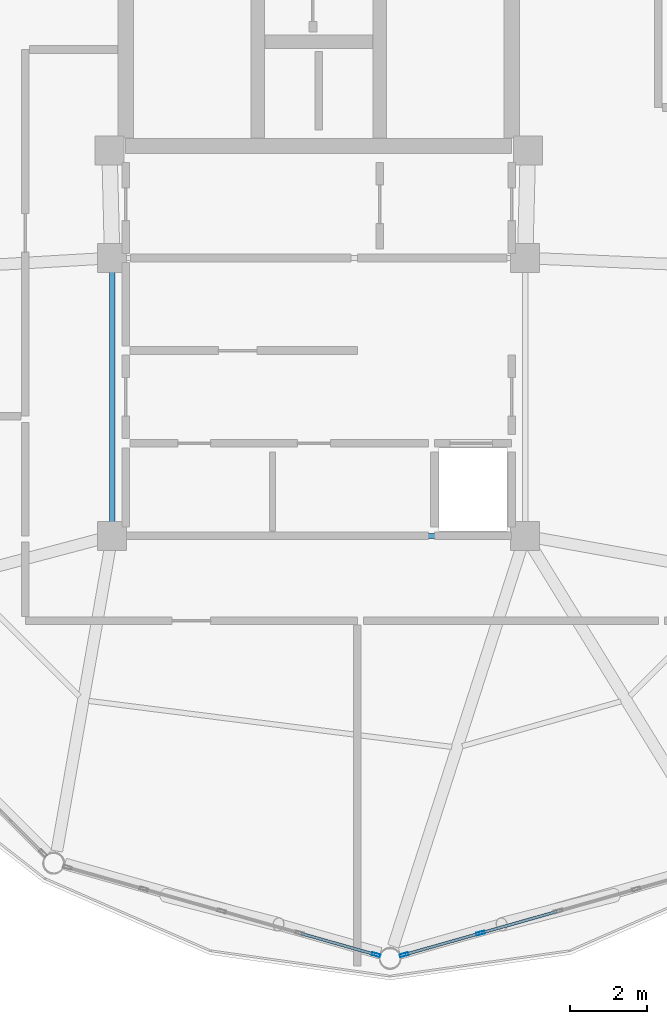
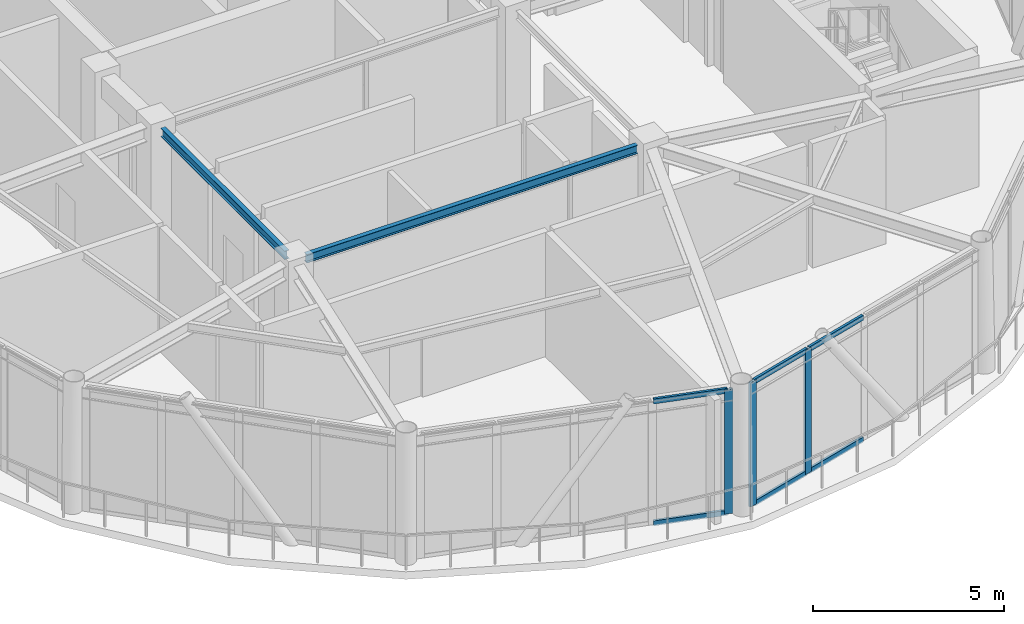
# One storey, part 5 of 21: 9 members, 2 beams, 2 elements without a shape of their own.
"""IFC4 building model written with IfcOpenShell, lengths in metres."""

import ifcopenshell
import ifcopenshell.guid

model = None  # the IFC model being written
_history = None  # IfcOwnerHistory: only IFC2X3 demands one
_inside = {}  # id of a spatial element -> (the spatial element, [elements in it])
_under = {}  # id of a project, library or spatial element -> (it, [spatial elements below it])
_declared = {}  # id of a project -> (the project, [libraries it declares])
_typed = {}  # id of a type object -> (the type object, [elements of that type])
_made_of = {}  # id of a material, layer set ... -> (it, [elements and type objects made of it])


def new_model(schema):
    """Start an empty IFC model of exactly this schema.

    Asked for "IFC4X3", IfcOpenShell would pick the latest addendum, in which some entities
    have other attributes; the version numbers below select the first issue.
    IFC2X3 requires an IfcOwnerHistory on every rooted entity: one is made here for all.
    """
    global model, _history
    if schema == "IFC4X3":
        model = ifcopenshell.file(schema_version=(4, 3, 0, 0))
    else:
        model = ifcopenshell.file(schema=schema)
    _inside.clear()
    _under.clear()
    _declared.clear()
    _typed.clear()
    _made_of.clear()
    _history = None
    if model.schema == "IFC2X3":
        org = make("IfcOrganization", Name="unknown")
        user = make(
            "IfcPersonAndOrganization",
            ThePerson=make("IfcPerson", FamilyName="unknown"),
            TheOrganization=org,
        )
        app = make(
            "IfcApplication",
            ApplicationDeveloper=org,
            Version="unknown",
            ApplicationFullName="unknown",
            ApplicationIdentifier="unknown",
        )
        _history = make(
            "IfcOwnerHistory",
            OwningUser=user,
            OwningApplication=app,
            ChangeAction="ADDED",
            CreationDate=0,
        )
    return model


def make(cls, **values):
    """One entity of the class cls with the attributes given. An attribute that is None is left unset."""
    return model.create_entity(
        cls, **{name: value for name, value in values.items() if value is not None}
    )


def rooted(cls, **values):
    """An entity with a GlobalId (a new one), such as an element, a storey or a relation."""
    return make(cls, GlobalId=ifcopenshell.guid.new(), OwnerHistory=_history, **values)


def si_unit(unit_type, name, prefix=None):
    """IfcSIUnit, for example si_unit("LENGTHUNIT", "METRE", prefix="MILLI")."""
    return make("IfcSIUnit", UnitType=unit_type, Prefix=prefix, Name=name)


def assignment(units):
    """IfcUnitAssignment: the units of a project."""
    return None if units is None else make("IfcUnitAssignment", Units=units)


def point(xyz):
    """IfcCartesianPoint."""
    return None if xyz is None else make("IfcCartesianPoint", Coordinates=xyz)


def direction(xyz):
    """IfcDirection."""
    return None if xyz is None else make("IfcDirection", DirectionRatios=xyz)


def frame(location, z_axis=None, x_axis=None):
    """IfcAxis2Placement3D, a coordinate frame: its origin and axes. An axis left out is left unset."""
    return make(
        "IfcAxis2Placement3D",
        Location=point(location),
        Axis=direction(z_axis),
        RefDirection=direction(x_axis),
    )


def frame_2d(location, x_axis=None):
    """IfcAxis2Placement2D, a coordinate frame in the plane: its origin and x axis."""
    return make(
        "IfcAxis2Placement2D", Location=point(location), RefDirection=direction(x_axis)
    )


def origin():
    """The frame at (0, 0, 0) with its axes left unset."""
    return frame((0.0, 0.0, 0.0))


def origin_2d():
    """The frame at (0, 0) in the plane with its x axis left unset."""
    return frame_2d((0.0, 0.0))


def place(relative_to, where):
    """IfcLocalPlacement: puts the frame where relative to a parent placement (None: the world)."""
    return make(
        "IfcLocalPlacement", PlacementRelTo=relative_to, RelativePlacement=where
    )


def context(
    kind, dimensions, precision=None, world=None, true_north=None, identifier=None
):
    """IfcGeometricRepresentationContext, for example the 3D "Model" context."""
    return make(
        "IfcGeometricRepresentationContext",
        ContextIdentifier=identifier,
        ContextType=kind,
        CoordinateSpaceDimension=dimensions,
        Precision=precision,
        WorldCoordinateSystem=world,
        TrueNorth=true_north,
    )


def subcontext(parent, identifier, kind, view, scale=None):
    """IfcGeometricRepresentationSubContext, for example "Body" below "Model"."""
    return make(
        "IfcGeometricRepresentationSubContext",
        ContextIdentifier=identifier,
        ContextType=kind,
        ParentContext=parent,
        TargetScale=scale,
        TargetView=view,
    )


def project(units=None, contexts=None):
    """IfcProject with its units and contexts."""
    return rooted(
        "IfcProject",
        Name="project",
        RepresentationContexts=contexts,
        UnitsInContext=assignment(units),
    )


def spatial(cls, under=None, at=None, **own):
    """A site, building, storey or space (cls), placed at a placement, below another one or the project."""
    s = rooted(cls, ObjectPlacement=at, **own)
    if under is not None:
        _under.setdefault(under.id(), (under, []))[1].append(s)
    return s


def profile(cls, at=None, kind="AREA", **sizes):
    """A parametric profile (cls). Its sizes go by their IFC names, for example OverallWidth=200.0."""
    return make(cls, ProfileType=kind, Position=at, **sizes)


def hollow_rectangle(**sizes):
    """IfcRectangleHollowProfileDef."""
    return profile("IfcRectangleHollowProfileDef", **sizes)


def i_section(**sizes):
    """IfcIShapeProfileDef."""
    return profile("IfcIShapeProfileDef", **sizes)


def extrude(swept, where, along, depth):
    """IfcExtrudedAreaSolid: the profile swept, set in the frame where, extruded along a direction by depth."""
    return make(
        "IfcExtrudedAreaSolid",
        SweptArea=swept,
        Position=where,
        ExtrudedDirection=direction(along),
        Depth=depth,
    )


def shape(context_of_items, identifier, shape_type, items):
    """IfcShapeRepresentation: the items that make up one representation, for example the "Body"."""
    return make(
        "IfcShapeRepresentation",
        ContextOfItems=context_of_items,
        RepresentationIdentifier=identifier,
        RepresentationType=shape_type,
        Items=items,
    )


def material(Name=None, Category=None):
    """IfcMaterial."""
    return make("IfcMaterial", Name=Name, Category=Category)


def layer(
    of_material, thickness, ventilated=None, Name=None, Category=None, Priority=None
):
    """IfcMaterialLayer: one layer of a wall or slab, of a material (None: an air gap)."""
    return make(
        "IfcMaterialLayer",
        Material=of_material,
        LayerThickness=thickness,
        IsVentilated=ventilated,
        Name=Name,
        Category=Category,
        Priority=Priority,
    )


def layer_set(layers, Name=None):
    """IfcMaterialLayerSet."""
    return make("IfcMaterialLayerSet", MaterialLayers=layers, LayerSetName=Name)


def material_profile(
    of_material, cross_section, Name=None, Category=None, Priority=None
):
    """IfcMaterialProfile: a cross section and its material."""
    return make(
        "IfcMaterialProfile",
        Name=Name,
        Material=of_material,
        Profile=cross_section,
        Priority=Priority,
        Category=Category,
    )


def profile_set(profiles, Name=None, composite=None):
    """IfcMaterialProfileSet."""
    return make(
        "IfcMaterialProfileSet",
        Name=Name,
        MaterialProfiles=profiles,
        CompositeProfile=composite,
    )


def made_of(thing, what):
    """Note that an element or type object is made of a material, layer set ...; save() writes the relation."""
    if what is not None:
        _made_of.setdefault(what.id(), (what, []))[1].append(thing)
    return thing


def type_object(cls, material=None, **own):
    """A type object (cls), such as IfcWallType, which elements share."""
    return made_of(rooted(cls, **own), material)


def element(
    cls,
    number,
    at=None,
    inside=None,
    cuts=None,
    type_object=None,
    material=None,
    context=None,
    identifier="Body",
    shape_type=None,
    held_by="IfcProductDefinitionShape",
    body=None,
    shapes=None,
    **own,
):
    """One element of the class cls, such as IfcWall. Its Tag is "e" and its number.

    at: its placement. inside: the storey or other place that contains it. cuts: it is an
    opening in that element (IfcRelVoidsElement). A single representation is given by context,
    identifier, shape_type and body (its items); several are given by shapes. held_by: the class
    of the entity that holds the representations. save() writes the other relations.
    """
    e = rooted(cls, Tag="e%d" % number, ObjectPlacement=at, **own)
    if body is not None:
        shapes = [shape(context, identifier, shape_type, body)]
    if shapes is not None:
        e.Representation = make(held_by, Representations=shapes)
    if inside is not None:
        _inside.setdefault(inside.id(), (inside, []))[1].append(e)
    if cuts is not None:
        rooted(
            "IfcRelVoidsElement", RelatingBuildingElement=cuts, RelatedOpeningElement=e
        )
    if type_object is not None:
        _typed.setdefault(type_object.id(), (type_object, []))[1].append(e)
    return made_of(e, material)


def aggregate(whole, parts):
    """IfcRelAggregates: a whole, such as a stair, and the parts it consists of."""
    return rooted("IfcRelAggregates", RelatingObject=whole, RelatedObjects=parts)


def save(model, path):
    """Write the relations noted so far, then the file.

    IfcRelAggregates (storeys below a building ...), IfcRelContainedInSpatialStructure (elements
    in a storey), IfcRelDefinesByType, IfcRelAssociatesMaterial and IfcRelDeclares: one each for
    every whole, place, type object, material and project.
    """
    for whole, parts in _under.values():
        aggregate(whole, parts)
    for where, things in _inside.values():
        rooted(
            "IfcRelContainedInSpatialStructure",
            RelatedElements=things,
            RelatingStructure=where,
        )
    for kind, things in _typed.values():
        rooted("IfcRelDefinesByType", RelatedObjects=things, RelatingType=kind)
    for what, things in _made_of.values():
        rooted("IfcRelAssociatesMaterial", RelatedObjects=things, RelatingMaterial=what)
    for by, libraries in _declared.values():
        rooted("IfcRelDeclares", RelatingContext=by, RelatedDefinitions=libraries)
    model.write(path)


model = new_model("IFC4")

# Units and contexts
model_context = context("Model", 3, precision=1e-05, world=origin(), true_north=direction((0.0, 1.0)))
body_context = subcontext(model_context, "Body", "Model", "MODEL_VIEW")
ifc_project = project(units=[si_unit("LENGTHUNIT", "METRE"), si_unit("AREAUNIT", "SQUARE_METRE"), si_unit("VOLUMEUNIT", "CUBIC_METRE"), si_unit("PLANEANGLEUNIT", "RADIAN"), si_unit("MASSUNIT", "GRAM", prefix="KILO")], contexts=[model_context])

# Site, building, storey
site_placement = place(None, origin())
site = spatial("IfcSite", under=ifc_project, at=site_placement, CompositionType="ELEMENT")
building_placement = place(site_placement, origin())
building = spatial("IfcBuilding", under=site, at=building_placement, Name="Varnakorn Sky Granary", CompositionType="ELEMENT")
storey_placement = place(building_placement, frame((0.0, 0.0, 298.199951171875)))
storey = spatial("IfcBuildingStorey", under=building, at=storey_placement, Name="L76", CompositionType="ELEMENT", Elevation=298.199951171875)

# Beams
ifc_material_1 = material(Name="Steel S355JR", Category="steel")
ifc_material_profile_1 = material_profile(ifc_material_1, i_section(OverallWidth=0.135009765625, OverallDepth=0.27001953125, WebThickness=0.006591796875, FlangeThickness=0.01025390625, at=origin_2d()), Name="IPE 270")
ifc_profile_set_1 = profile_set([ifc_material_profile_1], Name="Steel S355JR")
beam_type = type_object("IfcBeamType", Name="BM-SEC-Z5", PredefinedType="BEAM", material=ifc_profile_set_1)
beam_1_placement = place(storey_placement, frame((-2.35009765625, 0.2451171875, 3.824951171875), z_axis=(0.0, -1.0, 0.0), x_axis=(1.0, 0.0, 0.0)))
element("IfcBeam", 1, at=beam_1_placement, inside=storey, type_object=beam_type, Name="Core Spine Framing Beam 3 L76", PredefinedType="BEAM", context=body_context, shape_type="SweptSolid", body=[
    extrude(i_section(OverallWidth=0.135009765625, OverallDepth=0.27001953125, WebThickness=0.006591796875, FlangeThickness=0.01025390625, at=origin_2d()), origin(), (0.0, 0.0, 1.0), 6.490234375),
])
beam_2_placement = place(storey_placement, frame((-1.9951171875, -6.60009765625, 3.824951171875), z_axis=(1.0, 0.0, 0.0), x_axis=(0.0, 1.0, 0.0)))
element("IfcBeam", 2, at=beam_2_placement, inside=storey, type_object=beam_type, Name="Core Spine Framing Beam 6 L76", PredefinedType="BEAM", context=body_context, shape_type="SweptSolid", body=[
    extrude(i_section(OverallWidth=0.135009765625, OverallDepth=0.27001953125, WebThickness=0.006591796875, FlangeThickness=0.01025390625, at=origin_2d()), origin(), (0.0, 0.0, 1.0), 9.990234375),
])

# Curtain wall, member
ifc_material_2 = material(Name="Anodised Bronze Aluminium Alloy 6063-T6", Category="aluminium")
ifc_layer = layer(ifc_material_2, 0.22998046875, Name="Anodised Bronze Aluminium Alloy 6063-T6")
ifc_layer_set = layer_set([ifc_layer], Name="Anodised Bronze Aluminium Alloy 6063-T6")
curtain_wall_type = type_object("IfcCurtainWallType", Name="CW-LNT-1", PredefinedType="USERDEFINED", material=ifc_layer_set)
curtain_wall_1_placement = place(storey_placement, origin())
curtain_wall_1 = element("IfcCurtainWall", 3, at=curtain_wall_1_placement, inside=storey, type_object=curtain_wall_type, Name="Unitised Curtain Wall CW7 CW-L76-B09", ObjectType="CURTAIN WALL", PredefinedType="USERDEFINED")
ifc_material_profile_2 = material_profile(ifc_material_2, hollow_rectangle(XDim=0.074951171875, YDim=0.219970703125, WallThickness=0.00390625, at=origin_2d()), Name="ALU MULL 75x220")
ifc_profile_set_2 = profile_set([ifc_material_profile_2], Name="Anodised Bronze Aluminium Alloy 6063-T6")
member_type_1 = type_object("IfcMemberType", Name="CW-LNT-1-MULL", PredefinedType="MULLION", material=ifc_profile_set_2)
member_1_placement = place(storey_placement, frame((4.4873046875, -17.454345703125, 0.0), z_axis=(0.0, 0.0, 1.0), x_axis=(-0.272381418723, -0.962189359084, 0.0)))
member_1 = element("IfcMember", 4, at=member_1_placement, type_object=member_type_1, Name="CW7 mullion 1", PredefinedType="MULLION", context=body_context, shape_type="SweptSolid", body=[
    extrude(hollow_rectangle(XDim=0.074951171875, YDim=0.219970703125, WallThickness=0.00390625, at=origin_2d()), origin(), (0.0, 0.0, 1.0), 3.9599609375),
])

# Curtain wall, members
curtain_wall_2_placement = place(storey_placement, origin())
curtain_wall_2 = element("IfcCurtainWall", 5, at=curtain_wall_2_placement, inside=storey, type_object=curtain_wall_type, Name="Unitised Curtain Wall CW7 CW-L76-B10", ObjectType="CURTAIN WALL", PredefinedType="USERDEFINED")
member_2_placement = place(storey_placement, frame((7.19384765625, -16.8935546875, 0.0), z_axis=(0.0, 0.0, 1.0), x_axis=(0.272381418723, -0.962189359084, 0.0)))
member_2 = element("IfcMember", 6, at=member_2_placement, type_object=member_type_1, Name="CW7 mullion 4", PredefinedType="MULLION", context=body_context, shape_type="SweptSolid", body=[
    extrude(hollow_rectangle(XDim=0.074951171875, YDim=0.219970703125, WallThickness=0.00390625, at=origin_2d()), origin(), (0.0, 0.0, 1.0), 3.9599609375),
])
member_3_placement = place(storey_placement, frame((5.212890625, -17.454345703125, 0.0), z_axis=(0.0, 0.0, 1.0), x_axis=(0.272381418723, -0.962189359084, 0.0)))
member_3 = element("IfcMember", 7, at=member_3_placement, type_object=member_type_1, Name="CW7 mullion 5", PredefinedType="MULLION", context=body_context, shape_type="SweptSolid", body=[
    extrude(hollow_rectangle(XDim=0.074951171875, YDim=0.219970703125, WallThickness=0.00390625, at=origin_2d()), origin(), (0.0, 0.0, 1.0), 3.9599609375),
])

# Member
ifc_material_profile_3 = material_profile(ifc_material_2, hollow_rectangle(XDim=0.074951171875, YDim=0.159912109375, WallThickness=0.00390625, at=origin_2d()), Name="ALU TRAN 75x160")
ifc_profile_set_3 = profile_set([ifc_material_profile_3], Name="Anodised Bronze Aluminium Alloy 6063-T6")
member_type_2 = type_object("IfcMemberType", Name="CW-LNT-1-TRAN", PredefinedType="USERDEFINED", material=ifc_profile_set_3)
member_4_placement = place(storey_placement, frame((4.451171875, -17.444091796875, 0.03759765625), z_axis=(-0.962203612173, 0.272331064553, 0.0), x_axis=(-0.272331064553, -0.962203612173, 0.0)))
member_4 = element("IfcMember", 8, at=member_4_placement, type_object=member_type_2, Name="CW7 transom 1.1", ObjectType="TRANSOM", PredefinedType="USERDEFINED", context=body_context, shape_type="SweptSolid", body=[
    extrude(hollow_rectangle(XDim=0.074951171875, YDim=0.159912109375, WallThickness=0.00390625, at=origin_2d()), origin(), (0.0, 0.0, 1.0), 1.98388671875),
])

member_5_placement = place(storey_placement, frame((4.451171875, -17.444091796875, 3.922607421875), z_axis=(-0.962203612173, 0.272331064553, 0.0), x_axis=(-0.272331064553, -0.962203612173, 0.0)))
member_5 = element("IfcMember", 9, at=member_5_placement, type_object=member_type_2, Name="CW7 transom 1.2", ObjectType="TRANSOM", PredefinedType="USERDEFINED", context=body_context, shape_type="SweptSolid", body=[
    extrude(hollow_rectangle(XDim=0.074951171875, YDim=0.159912109375, WallThickness=0.00390625, at=origin_2d()), origin(), (0.0, 0.0, 1.0), 1.98388671875),
])

aggregate(curtain_wall_1, [member_1, member_4, member_5])

member_6_placement = place(storey_placement, frame((9.1748046875, -16.332763671875, 0.03759765625), z_axis=(-0.962191115172, -0.272375215254, 0.0), x_axis=(0.272375215254, -0.962191115172, 0.0)))
member_6 = element("IfcMember", 10, at=member_6_placement, type_object=member_type_2, Name="CW7 transom 3.1", ObjectType="TRANSOM", PredefinedType="USERDEFINED", context=body_context, shape_type="SweptSolid", body=[
    extrude(hollow_rectangle(XDim=0.074951171875, YDim=0.159912109375, WallThickness=0.00390625, at=origin_2d()), origin(), (0.0, 0.0, 1.0), 2.021240234375),
])

member_7_placement = place(storey_placement, frame((9.1748046875, -16.332763671875, 3.922607421875), z_axis=(-0.962191115172, -0.272375215254, 0.0), x_axis=(0.272375215254, -0.962191115172, 0.0)))
member_7 = element("IfcMember", 11, at=member_7_placement, type_object=member_type_2, Name="CW7 transom 3.2", ObjectType="TRANSOM", PredefinedType="USERDEFINED", context=body_context, shape_type="SweptSolid", body=[
    extrude(hollow_rectangle(XDim=0.074951171875, YDim=0.159912109375, WallThickness=0.00390625, at=origin_2d()), origin(), (0.0, 0.0, 1.0), 2.021240234375),
])

member_8_placement = place(storey_placement, frame((7.15771484375, -16.90380859375, 0.03759765625), z_axis=(-0.962203612173, -0.272331064553, 0.0), x_axis=(0.272331064553, -0.962203612173, 0.0)))
member_8 = element("IfcMember", 12, at=member_8_placement, type_object=member_type_2, Name="CW7 transom 4.1", ObjectType="TRANSOM", PredefinedType="USERDEFINED", context=body_context, shape_type="SweptSolid", body=[
    extrude(hollow_rectangle(XDim=0.074951171875, YDim=0.159912109375, WallThickness=0.00390625, at=origin_2d()), origin(), (0.0, 0.0, 1.0), 1.98388671875),
])

member_9_placement = place(storey_placement, frame((7.15771484375, -16.90380859375, 3.922607421875), z_axis=(-0.962203612173, -0.272331064553, 0.0), x_axis=(0.272331064553, -0.962203612173, 0.0)))
member_9 = element("IfcMember", 13, at=member_9_placement, type_object=member_type_2, Name="CW7 transom 4.2", ObjectType="TRANSOM", PredefinedType="USERDEFINED", context=body_context, shape_type="SweptSolid", body=[
    extrude(hollow_rectangle(XDim=0.074951171875, YDim=0.159912109375, WallThickness=0.00390625, at=origin_2d()), origin(), (0.0, 0.0, 1.0), 1.98388671875),
])

aggregate(curtain_wall_2, [member_2, member_3, member_6, member_7, member_8, member_9])

save(model, "model.ifc")
